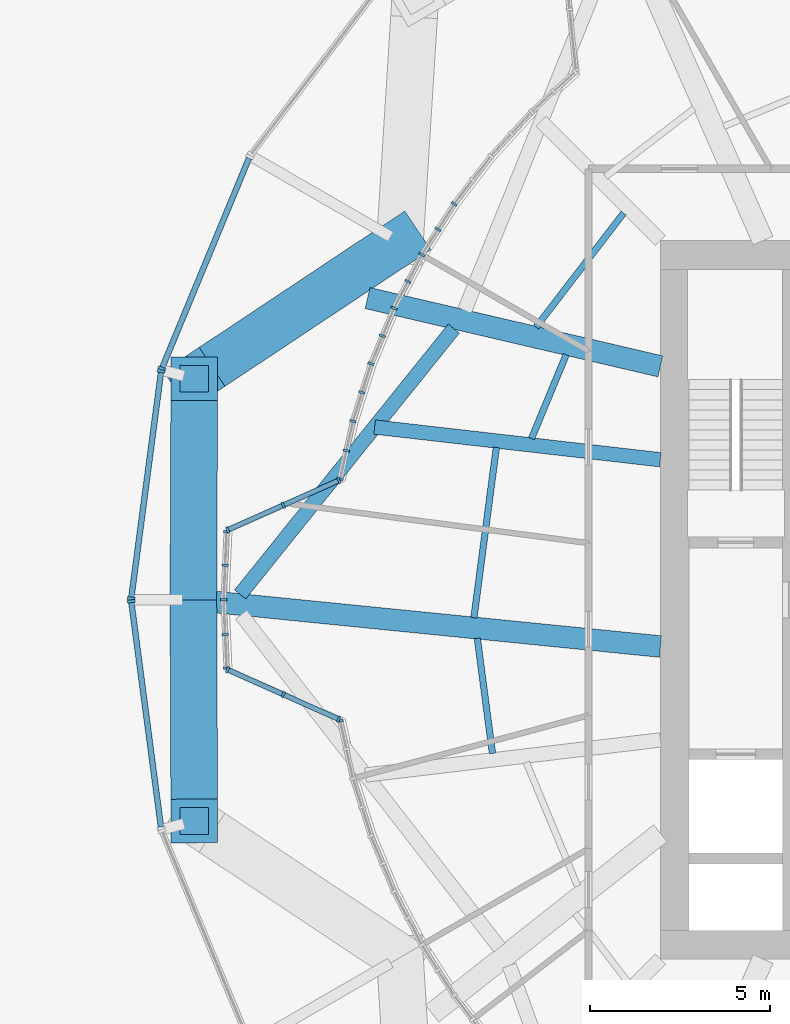
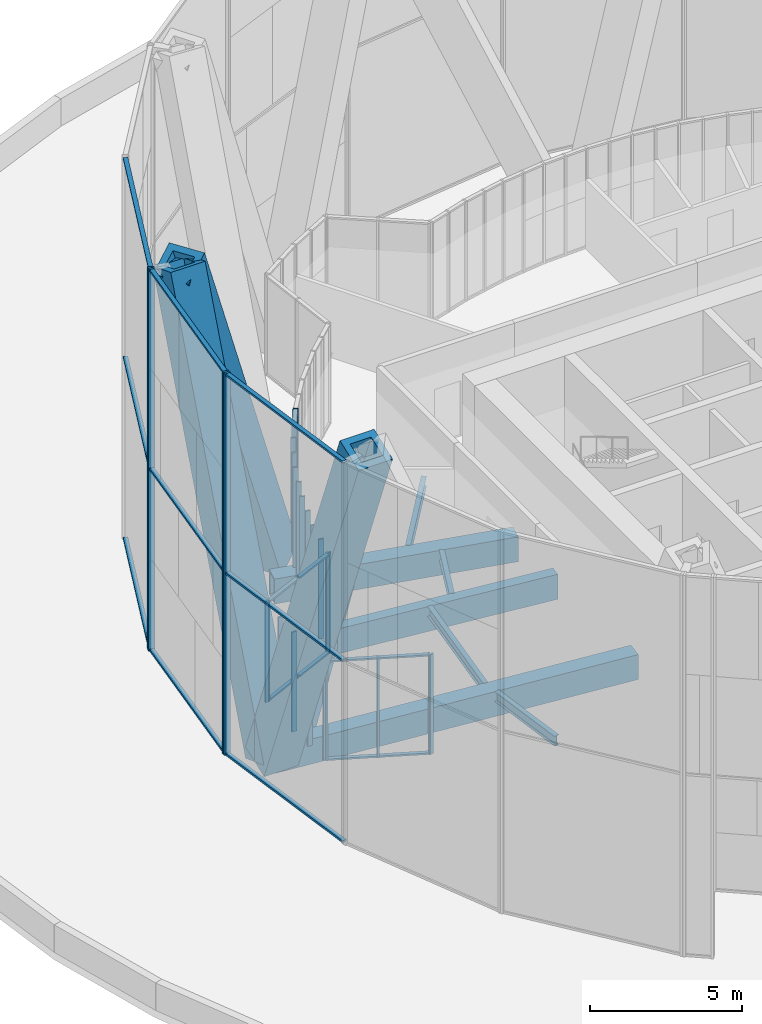
# One storey, part 5 of 27: 47 members, 8 beams, 14 elements without a shape of their own.
"""IFC4 building model written with IfcOpenShell, lengths in metres."""

from ifc_helpers import new_model, si_unit, direction, frame, origin, origin_2d, place, context, subcontext, project, spatial, rectangle, hollow_rectangle, i_section, extrude, material, material_profile, profile_set, type_object, element, aggregate, save


model = new_model("IFC4")

# Units and contexts
model_context = context("Model", 3, precision=1e-05, world=origin(), true_north=direction((0.0, 1.0)))
body_context = subcontext(model_context, "Body", "Model", "MODEL_VIEW")
ifc_project = project(units=[si_unit("LENGTHUNIT", "METRE"), si_unit("AREAUNIT", "SQUARE_METRE"), si_unit("VOLUMEUNIT", "CUBIC_METRE"), si_unit("PLANEANGLEUNIT", "RADIAN"), si_unit("MASSUNIT", "GRAM", prefix="KILO")], contexts=[model_context])

# Site, building, storey
site_placement = place(None, origin())
site = spatial("IfcSite", under=ifc_project, at=site_placement, CompositionType="ELEMENT")
building_placement = place(site_placement, origin())
building = spatial("IfcBuilding", under=site, at=building_placement, Name="Golbaran Civic Tower", CompositionType="ELEMENT")
storey_placement = place(building_placement, frame((0.0, 0.0, 21.0)))
storey = spatial("IfcBuildingStorey", under=building, at=storey_placement, Name="L04", CompositionType="ELEMENT", Elevation=21.0)

# Members
ifc_material_1 = material(Name="Steel S355", Category="steel")
ifc_material_profile_1 = material_profile(ifc_material_1, hollow_rectangle(XDim=1.300048828125, YDim=1.300048828125, WallThickness=0.25, at=origin_2d()), Name="BOX 1300x1300x250")
ifc_profile_set_1 = profile_set([ifc_material_profile_1], Name="Steel S355")
member_type_1 = type_object("IfcMemberType", Name="DIAGRID DIAGONAL BOX 1300x1300x250", PredefinedType="BRACE", material=ifc_profile_set_1)
member_1_placement = place(storey_placement, frame((-17.25, 9.959228515625, -0.7099609375), z_axis=(-0.328742402608, -0.218404518417, 0.918818752019), x_axis=(0.55337148994, -0.832934567731, 0.0)))
element("IfcMember", 1, at=member_1_placement, inside=storey, type_object=member_type_1, Name="Diagonal D00-05R L04-L08", PredefinedType="BRACE", context=body_context, shape_type="SweptSolid", body=[
    extrude(hollow_rectangle(XDim=1.300048828125, YDim=1.300048828125, WallThickness=0.25, at=origin_2d()), origin(), (0.0, 0.0, 1.0), 17.41357421875),
])
for number, where, z_axis, x_axis, name in (
    (2, (-23.0, 0.0, -0.7099609375), (0.00148107065, -0.359088427386, 0.933302366732), (0.999991494239, 0.004124493968, 0.0), "Diagonal D00-06R L04-L08"),
    (3, (-23.0, 0.0, -0.7099609375), (0.00148107065, 0.359088427386, 0.933302366732), (-0.999991494239, 0.004124493968, 0.0), "Diagonal D00-06L L04-L08"),
):
    element("IfcMember", number, at=place(storey_placement, frame(where, z_axis=z_axis, x_axis=x_axis)), inside=storey, type_object=member_type_1, Name=name, PredefinedType="BRACE", context=body_context, shape_type="SweptSolid", body=[
        extrude(hollow_rectangle(XDim=1.300048828125, YDim=1.300048828125, WallThickness=0.25, at=origin_2d()), origin(), (0.0, 0.0, 1.0), 17.143310546875),
    ])

# Beams
ifc_material_profile_2 = material_profile(ifc_material_1, hollow_rectangle(XDim=0.39990234375, YDim=0.800048828125, WallThickness=0.0400390625, at=origin_2d()), Name="BOX 800x400x40")
ifc_profile_set_2 = profile_set([ifc_material_profile_2], Name="Steel S355")
beam_type_1 = type_object("IfcBeamType", Name="EDGE BEAM BOX 800x400x40", PredefinedType="BEAM", material=ifc_profile_set_2)
beam_1_placement = place(storey_placement, frame((-15.748779296875, 7.552978515625, -0.60009765625), z_axis=(-0.626474233985, -0.779442130086, 0.0), x_axis=(0.779442130086, -0.626474233985, 0.0)))
element("IfcBeam", 4, at=beam_1_placement, inside=storey, type_object=beam_type_1, Name="Edge beam 150.00 L04", PredefinedType="BEAM", context=body_context, shape_type="SweptSolid", body=[
    extrude(hollow_rectangle(XDim=0.39990234375, YDim=0.800048828125, WallThickness=0.0400390625, at=origin_2d()), origin(), (0.0, 0.0, 1.0), 9.496337890625),
])
ifc_material_profile_3 = material_profile(ifc_material_1, i_section(OverallWidth=0.179931640625, OverallDepth=0.39990234375, WebThickness=0.008544921875, FlangeThickness=0.013427734375, FilletRadius=0.02099609375, at=origin_2d()), Name="IPE 400")
ifc_profile_set_3 = profile_set([ifc_material_profile_3], Name="Steel S355")
beam_type_2 = type_object("IfcBeamType", Name="FLOOR INFILL BEAM IPE 400", PredefinedType="BEAM", material=ifc_profile_set_3)
beam_2_placement = place(storey_placement, frame((-11.0224609375, 10.767822265625, -0.39990234375), z_axis=(-0.608760731105, -0.793353875811, 0.0), x_axis=(0.793353875811, -0.608760731105, 0.0)))
element("IfcBeam", 5, at=beam_2_placement, inside=storey, type_object=beam_type_2, Name="Infill beam 142.50 L04", PredefinedType="BEAM", context=body_context, shape_type="SweptSolid", body=[
    extrude(i_section(OverallWidth=0.179931640625, OverallDepth=0.39990234375, WebThickness=0.008544921875, FlangeThickness=0.013427734375, FilletRadius=0.02099609375, at=origin_2d()), origin(), (0.0, 0.0, 1.0), 4.000732421875),
])
beam_3_placement = place(storey_placement, frame((-12.62060546875, 6.823486328125, -0.39990234375), z_axis=(-0.382670739155, -0.923884790109, 0.0), x_axis=(0.923884790109, -0.382670739155, 0.0)))
element("IfcBeam", 6, at=beam_3_placement, inside=storey, type_object=beam_type_2, Name="Infill beam 157.50 L04", PredefinedType="BEAM", context=body_context, shape_type="SweptSolid", body=[
    extrude(i_section(OverallWidth=0.179931640625, OverallDepth=0.39990234375, WebThickness=0.008544921875, FlangeThickness=0.013427734375, FilletRadius=0.02099609375, at=origin_2d()), origin(), (0.0, 0.0, 1.0), 2.52392578125),
])
beam_4_placement = place(storey_placement, frame((-14.565185546875, 4.241455078125, -0.39990234375), z_axis=(-0.13049149029, -0.991449429352, 0.0), x_axis=(0.991449429352, -0.13049149029, 0.0)))
element("IfcBeam", 7, at=beam_4_placement, inside=storey, type_object=beam_type_2, Name="Infill beam 172.50 L04", PredefinedType="BEAM", context=body_context, shape_type="SweptSolid", body=[
    extrude(i_section(OverallWidth=0.179931640625, OverallDepth=0.39990234375, WebThickness=0.008544921875, FlangeThickness=0.013427734375, FilletRadius=0.02099609375, at=origin_2d()), origin(), (0.0, 0.0, 1.0), 4.781982421875),
])
beam_5_placement = place(storey_placement, frame((-15.094970703125, -1.07177734375, -0.39990234375), z_axis=(0.130540495755, -0.991442978173, 0.0), x_axis=(0.991442978173, 0.130540495755, 0.0)))
element("IfcBeam", 8, at=beam_5_placement, inside=storey, type_object=beam_type_2, Name="Infill beam 187.50 L04", PredefinedType="BEAM", context=body_context, shape_type="SweptSolid", body=[
    extrude(i_section(OverallWidth=0.179931640625, OverallDepth=0.39990234375, WebThickness=0.008544921875, FlangeThickness=0.013427734375, FilletRadius=0.02099609375, at=origin_2d()), origin(), (0.0, 0.0, 1.0), 3.231689453125),
])

# Curtain wall, member
ifc_material_2 = material(Name="Aluminium and glass", Category="aluminium")
curtain_wall_type_1 = type_object("IfcCurtainWallType", Name="INNER SKIN CURTAIN WALL", PredefinedType="NOTDEFINED", material=ifc_material_2)
curtain_wall_1_placement = place(storey_placement, origin())
curtain_wall_1 = element("IfcCurtainWall", 9, at=curtain_wall_1_placement, inside=storey, type_object=curtain_wall_type_1, Name="Inner skin L04 facet 29 CW1", ObjectType="INNER SKIN", PredefinedType="USERDEFINED")
ifc_material_3 = material(Name="Aluminium", Category="aluminium")
ifc_material_profile_4 = material_profile(ifc_material_3, rectangle(XDim=0.179931640625, YDim=0.06494140625, at=origin_2d()), Name="INNER SKIN CURTAIN WALL MULLION")
ifc_profile_set_4 = profile_set([ifc_material_profile_4], Name="Aluminium")
member_type_2 = type_object("IfcMemberType", Name="INNER SKIN CURTAIN WALL MULLION", PredefinedType="MULLION", material=ifc_profile_set_4)
member_2_placement = place(storey_placement, frame((-15.739990234375, 11.021240234375, 0.0), z_axis=(0.0, 0.0, 1.0), x_axis=(0.819152044349, -0.573576436265, 0.0)))
member_2 = element("IfcMember", 10, at=member_2_placement, type_object=member_type_2, Name="CW1 mullion 3", PredefinedType="MULLION", context=body_context, shape_type="SweptSolid", body=[
    extrude(rectangle(XDim=0.179931640625, YDim=0.06494140625, at=origin_2d()), origin(), (0.0, 0.0, 1.0), 4.0),
])
aggregate(curtain_wall_1, [member_2])

# Curtain wall, members
curtain_wall_2_placement = place(storey_placement, origin())
curtain_wall_2 = element("IfcCurtainWall", 11, at=curtain_wall_2_placement, inside=storey, type_object=curtain_wall_type_1, Name="Inner skin L04 facet 30 CW1", ObjectType="INNER SKIN", PredefinedType="USERDEFINED")
member_3_placement = place(storey_placement, frame((-16.1904296875, 10.314453125, 0.0), z_axis=(0.0, 0.0, 1.0), x_axis=(0.843391445653, -0.537299608597, 0.0)))
member_3 = element("IfcMember", 12, at=member_3_placement, type_object=member_type_2, Name="CW1 mullion 2", PredefinedType="MULLION", context=body_context, shape_type="SweptSolid", body=[
    extrude(rectangle(XDim=0.179931640625, YDim=0.06494140625, at=origin_2d()), origin(), (0.0, 0.0, 1.0), 4.0),
])
member_4_placement = place(storey_placement, frame((-16.640625, 9.607421875, 0.0), z_axis=(0.0, 0.0, 1.0), x_axis=(0.86602540375, -0.50000000006, 0.0)))
member_4 = element("IfcMember", 13, at=member_4_placement, type_object=member_type_2, Name="CW1 mullion 3", PredefinedType="MULLION", context=body_context, shape_type="SweptSolid", body=[
    extrude(rectangle(XDim=0.179931640625, YDim=0.06494140625, at=origin_2d()), origin(), (0.0, 0.0, 1.0), 4.0),
])
aggregate(curtain_wall_2, [member_3, member_4])

curtain_wall_3_placement = place(storey_placement, origin())
curtain_wall_3 = element("IfcCurtainWall", 14, at=curtain_wall_3_placement, inside=storey, type_object=curtain_wall_type_1, Name="Inner skin L04 facet 31 CW1", ObjectType="INNER SKIN", PredefinedType="USERDEFINED")
member_5_placement = place(storey_placement, frame((-17.027587890625, 8.864013671875, 0.0), z_axis=(0.0, 0.0, 1.0), x_axis=(0.887010833267, -0.461748613065, 0.0)))
member_5 = element("IfcMember", 15, at=member_5_placement, type_object=member_type_2, Name="CW1 mullion 2", PredefinedType="MULLION", context=body_context, shape_type="SweptSolid", body=[
    extrude(rectangle(XDim=0.179931640625, YDim=0.06494140625, at=origin_2d()), origin(), (0.0, 0.0, 1.0), 4.0),
])
member_6_placement = place(storey_placement, frame((-17.414794921875, 8.12060546875, 0.0), z_axis=(0.0, 0.0, 1.0), x_axis=(0.906307787074, -0.422618261662, 0.0)))
member_6 = element("IfcMember", 16, at=member_6_placement, type_object=member_type_2, Name="CW1 mullion 3", PredefinedType="MULLION", context=body_context, shape_type="SweptSolid", body=[
    extrude(rectangle(XDim=0.179931640625, YDim=0.06494140625, at=origin_2d()), origin(), (0.0, 0.0, 1.0), 4.0),
])
aggregate(curtain_wall_3, [member_5, member_6])

curtain_wall_4_placement = place(storey_placement, origin())
curtain_wall_4 = element("IfcCurtainWall", 17, at=curtain_wall_4_placement, inside=storey, type_object=curtain_wall_type_1, Name="Inner skin L04 facet 32 CW1", ObjectType="INNER SKIN", PredefinedType="USERDEFINED")
member_7_placement = place(storey_placement, frame((-17.7353515625, 7.34619140625, 0.0), z_axis=(0.0, 0.0, 1.0), x_axis=(0.923879532585, -0.382683432188, 0.0)))
member_7 = element("IfcMember", 18, at=member_7_placement, type_object=member_type_2, Name="CW1 mullion 2", PredefinedType="MULLION", context=body_context, shape_type="SweptSolid", body=[
    extrude(rectangle(XDim=0.179931640625, YDim=0.06494140625, at=origin_2d()), origin(), (0.0, 0.0, 1.0), 4.0),
])
member_8_placement = place(storey_placement, frame((-18.05615234375, 6.572021484375, 0.0), z_axis=(0.0, 0.0, 1.0), x_axis=(0.93969262078, -0.342020143342, 0.0)))
member_8 = element("IfcMember", 19, at=member_8_placement, type_object=member_type_2, Name="CW1 mullion 3", PredefinedType="MULLION", context=body_context, shape_type="SweptSolid", body=[
    extrude(rectangle(XDim=0.179931640625, YDim=0.06494140625, at=origin_2d()), origin(), (0.0, 0.0, 1.0), 4.0),
])
aggregate(curtain_wall_4, [member_7, member_8])

curtain_wall_5_placement = place(storey_placement, origin())
curtain_wall_5 = element("IfcCurtainWall", 20, at=curtain_wall_5_placement, inside=storey, type_object=curtain_wall_type_1, Name="Inner skin L04 facet 33 CW1", ObjectType="INNER SKIN", PredefinedType="USERDEFINED")
member_9_placement = place(storey_placement, frame((-18.308349609375, 5.7724609375, 0.0), z_axis=(0.0, 0.0, 1.0), x_axis=(0.953716950685, -0.300705799704, 0.0)))
member_9 = element("IfcMember", 21, at=member_9_placement, type_object=member_type_2, Name="CW1 mullion 2", PredefinedType="MULLION", context=body_context, shape_type="SweptSolid", body=[
    extrude(rectangle(XDim=0.179931640625, YDim=0.06494140625, at=origin_2d()), origin(), (0.0, 0.0, 1.0), 4.0),
])
member_10_placement = place(storey_placement, frame((-18.560302734375, 4.97314453125, 0.0), z_axis=(0.0, 0.0, 1.0), x_axis=(0.965925826257, -0.258819045221, 0.0)))
member_10 = element("IfcMember", 22, at=member_10_placement, type_object=member_type_2, Name="CW1 mullion 3", PredefinedType="MULLION", context=body_context, shape_type="SweptSolid", body=[
    extrude(rectangle(XDim=0.179931640625, YDim=0.06494140625, at=origin_2d()), origin(), (0.0, 0.0, 1.0), 4.0),
])
aggregate(curtain_wall_5, [member_9, member_10])

curtain_wall_6_placement = place(storey_placement, origin())
curtain_wall_6 = element("IfcCurtainWall", 23, at=curtain_wall_6_placement, inside=storey, type_object=curtain_wall_type_1, Name="Inner skin L04 facet 34 CW1", ObjectType="INNER SKIN", PredefinedType="USERDEFINED")
member_11_placement = place(storey_placement, frame((-18.74169921875, 4.155029296875, 0.0), z_axis=(0.0, 0.0, 1.0), x_axis=(0.976296007124, -0.216439613921, 0.0)))
member_11 = element("IfcMember", 24, at=member_11_placement, type_object=member_type_2, Name="CW1 mullion 2", PredefinedType="MULLION", context=body_context, shape_type="SweptSolid", body=[
    extrude(rectangle(XDim=0.179931640625, YDim=0.06494140625, at=origin_2d()), origin(), (0.0, 0.0, 1.0), 4.0),
])
member_12_placement = place(storey_placement, frame((-18.916015625, 3.368408203125, 0.0), z_axis=(0.0, 0.0, 1.0), x_axis=(0.976296007124, -0.216439613921, 0.0)))
member_12 = element("IfcMember", 25, at=member_12_placement, type_object=member_type_2, Name="CW1 mullion 3", PredefinedType="MULLION", context=body_context, shape_type="SweptSolid", body=[
    extrude(rectangle(XDim=0.179931640625, YDim=0.06494140625, at=origin_2d()), origin(), (0.0, 0.0, 1.0), 4.0),
])
aggregate(curtain_wall_6, [member_11, member_12])

curtain_wall_7_placement = place(storey_placement, origin())
curtain_wall_7 = element("IfcCurtainWall", 26, at=curtain_wall_7_placement, inside=storey, type_object=curtain_wall_type_1, Name="Inner skin L04 facet 35 CW1", ObjectType="INNER SKIN", PredefinedType="USERDEFINED")
member_13_placement = place(storey_placement, frame((-18.952880859375, 3.323486328125, 0.0), z_axis=(0.0, 0.0, 1.0), x_axis=(0.407136379182, -0.91336737885, 0.0)))
member_13 = element("IfcMember", 27, at=member_13_placement, type_object=member_type_2, Name="CW1 mullion 1", PredefinedType="MULLION", context=body_context, shape_type="SweptSolid", body=[
    extrude(rectangle(XDim=0.179931640625, YDim=0.06494140625, at=origin_2d()), origin(), (0.0, 0.0, 1.0), 4.0),
])
member_14_placement = place(storey_placement, frame((-20.499267578125, 2.634033203125, 0.0), z_axis=(0.0, 0.0, 1.0), x_axis=(0.407136379182, -0.91336737885, 0.0)))
member_14 = element("IfcMember", 28, at=member_14_placement, type_object=member_type_2, Name="CW1 mullion 2", PredefinedType="MULLION", context=body_context, shape_type="SweptSolid", body=[
    extrude(rectangle(XDim=0.179931640625, YDim=0.06494140625, at=origin_2d()), origin(), (0.0, 0.0, 1.0), 4.0),
])
member_15_placement = place(storey_placement, frame((-22.0458984375, 1.944580078125, 0.0), z_axis=(0.0, 0.0, 1.0), x_axis=(0.407136379182, -0.91336737885, 0.0)))
member_15 = element("IfcMember", 29, at=member_15_placement, type_object=member_type_2, Name="CW1 mullion 3", PredefinedType="MULLION", context=body_context, shape_type="SweptSolid", body=[
    extrude(rectangle(XDim=0.179931640625, YDim=0.06494140625, at=origin_2d()), origin(), (0.0, 0.0, 1.0), 4.0),
])

curtain_wall_8_placement = place(storey_placement, origin())
curtain_wall_8 = element("IfcCurtainWall", 30, at=curtain_wall_8_placement, inside=storey, type_object=curtain_wall_type_1, Name="Inner skin L04 facet 36 CW1", ObjectType="INNER SKIN", PredefinedType="USERDEFINED")
member_16_placement = place(storey_placement, frame((-22.0771484375, 1.89892578125, 0.0), z_axis=(0.0, 0.0, 1.0), x_axis=(0.999048221588, -0.043619387226, 0.0)))
member_16 = element("IfcMember", 31, at=member_16_placement, type_object=member_type_2, Name="CW1 mullion 1", PredefinedType="MULLION", context=body_context, shape_type="SweptSolid", body=[
    extrude(rectangle(XDim=0.179931640625, YDim=0.06494140625, at=origin_2d()), origin(), (0.0, 0.0, 1.0), 4.0),
])
member_17_placement = place(storey_placement, frame((-22.117919921875, 0.965576171875, 0.0), z_axis=(0.0, 0.0, 1.0), x_axis=(0.999048221588, -0.043619387226, 0.0)))
member_17 = element("IfcMember", 32, at=member_17_placement, type_object=member_type_2, Name="CW1 mullion 2", PredefinedType="MULLION", context=body_context, shape_type="SweptSolid", body=[
    extrude(rectangle(XDim=0.179931640625, YDim=0.06494140625, at=origin_2d()), origin(), (0.0, 0.0, 1.0), 4.0),
])
member_18_placement = place(storey_placement, frame((-22.159912109375, 0.0, 0.0), z_axis=(0.0, 0.0, 1.0), x_axis=(1.0, 7e-11, 0.0)))
member_18 = element("IfcMember", 33, at=member_18_placement, type_object=member_type_2, Name="CW1 mullion 3", PredefinedType="MULLION", context=body_context, shape_type="SweptSolid", body=[
    extrude(rectangle(XDim=0.179931640625, YDim=0.06494140625, at=origin_2d()), origin(), (0.0, 0.0, 1.0), 4.0),
])
aggregate(curtain_wall_8, [member_16, member_17, member_18])

curtain_wall_9_placement = place(storey_placement, origin())
curtain_wall_9 = element("IfcCurtainWall", 34, at=curtain_wall_9_placement, inside=storey, type_object=curtain_wall_type_1, Name="Inner skin L04 facet 37 CW1", ObjectType="INNER SKIN", PredefinedType="USERDEFINED")
member_19_placement = place(storey_placement, frame((-22.117919921875, -0.965576171875, 0.0), z_axis=(0.0, 0.0, 1.0), x_axis=(0.999048221588, 0.043619387226, 0.0)))
member_19 = element("IfcMember", 35, at=member_19_placement, type_object=member_type_2, Name="CW1 mullion 2", PredefinedType="MULLION", context=body_context, shape_type="SweptSolid", body=[
    extrude(rectangle(XDim=0.179931640625, YDim=0.06494140625, at=origin_2d()), origin(), (0.0, 0.0, 1.0), 4.0),
])
member_20_placement = place(storey_placement, frame((-22.0771484375, -1.89892578125, 0.0), z_axis=(0.0, 0.0, 1.0), x_axis=(0.999048221588, 0.043619387226, 0.0)))
member_20 = element("IfcMember", 36, at=member_20_placement, type_object=member_type_2, Name="CW1 mullion 3", PredefinedType="MULLION", context=body_context, shape_type="SweptSolid", body=[
    extrude(rectangle(XDim=0.179931640625, YDim=0.06494140625, at=origin_2d()), origin(), (0.0, 0.0, 1.0), 4.0),
])
aggregate(curtain_wall_9, [member_19, member_20])

curtain_wall_10_placement = place(storey_placement, origin())
curtain_wall_10 = element("IfcCurtainWall", 37, at=curtain_wall_10_placement, inside=storey, type_object=curtain_wall_type_1, Name="Inner skin L04 facet 38 CW1", ObjectType="INNER SKIN", PredefinedType="USERDEFINED")
member_21_placement = place(storey_placement, frame((-22.0458984375, -1.944580078125, 0.0), z_axis=(0.0, 0.0, 1.0), x_axis=(0.407136379182, 0.91336737885, 0.0)))
member_21 = element("IfcMember", 38, at=member_21_placement, type_object=member_type_2, Name="CW1 mullion 1", PredefinedType="MULLION", context=body_context, shape_type="SweptSolid", body=[
    extrude(rectangle(XDim=0.179931640625, YDim=0.06494140625, at=origin_2d()), origin(), (0.0, 0.0, 1.0), 4.0),
])
member_22_placement = place(storey_placement, frame((-20.499267578125, -2.634033203125, 0.0), z_axis=(0.0, 0.0, 1.0), x_axis=(0.407136379182, 0.91336737885, 0.0)))
member_22 = element("IfcMember", 39, at=member_22_placement, type_object=member_type_2, Name="CW1 mullion 2", PredefinedType="MULLION", context=body_context, shape_type="SweptSolid", body=[
    extrude(rectangle(XDim=0.179931640625, YDim=0.06494140625, at=origin_2d()), origin(), (0.0, 0.0, 1.0), 4.0),
])
member_23_placement = place(storey_placement, frame((-18.952880859375, -3.323486328125, 0.0), z_axis=(0.0, 0.0, 1.0), x_axis=(0.407136379182, 0.91336737885, 0.0)))
member_23 = element("IfcMember", 40, at=member_23_placement, type_object=member_type_2, Name="CW1 mullion 3", PredefinedType="MULLION", context=body_context, shape_type="SweptSolid", body=[
    extrude(rectangle(XDim=0.179931640625, YDim=0.06494140625, at=origin_2d()), origin(), (0.0, 0.0, 1.0), 4.0),
])

# Curtain wall, member
curtain_wall_11_placement = place(storey_placement, origin())
curtain_wall_11 = element("IfcCurtainWall", 41, at=curtain_wall_11_placement, inside=storey, type_object=curtain_wall_type_1, Name="Inner skin L04 facet 39 CW1", ObjectType="INNER SKIN", PredefinedType="USERDEFINED")
member_24_placement = place(storey_placement, frame((-18.916015625, -3.368408203125, 0.0), z_axis=(0.0, 0.0, 1.0), x_axis=(0.976296007124, 0.216439613921, 0.0)))
member_24 = element("IfcMember", 42, at=member_24_placement, type_object=member_type_2, Name="CW1 mullion 1", PredefinedType="MULLION", context=body_context, shape_type="SweptSolid", body=[
    extrude(rectangle(XDim=0.179931640625, YDim=0.06494140625, at=origin_2d()), origin(), (0.0, 0.0, 1.0), 4.0),
])
aggregate(curtain_wall_11, [member_24])

# Member
ifc_material_profile_5 = material_profile(ifc_material_3, rectangle(XDim=0.139892578125, YDim=0.06494140625, at=origin_2d()), Name="INNER SKIN CURTAIN WALL TRANSOM")
ifc_profile_set_5 = profile_set([ifc_material_profile_5], Name="Aluminium")
member_type_3 = type_object("IfcMemberType", Name="INNER SKIN CURTAIN WALL TRANSOM", PredefinedType="USERDEFINED", material=ifc_profile_set_5)
member_25_placement = place(storey_placement, frame((-18.982421875, 3.310302734375, 0.032470703125), z_axis=(-0.913341070078, -0.407195394999, 0.0), x_axis=(0.407195394999, -0.913341070078, 0.0)))
member_25 = element("IfcMember", 43, at=member_25_placement, type_object=member_type_3, Name="CW1 transom 1.1", ObjectType="TRANSOM", PredefinedType="USERDEFINED", context=body_context, shape_type="SweptSolid", body=[
    extrude(rectangle(XDim=0.139892578125, YDim=0.06494140625, at=origin_2d()), origin(), (0.0, 0.0, 1.0), 1.62841796875),
])

member_26_placement = place(storey_placement, frame((-18.982421875, 3.310302734375, 3.967529296875), z_axis=(-0.913341070078, -0.407195394999, 0.0), x_axis=(0.407195394999, -0.913341070078, 0.0)))
member_26 = element("IfcMember", 44, at=member_26_placement, type_object=member_type_3, Name="CW1 transom 1.2", ObjectType="TRANSOM", PredefinedType="USERDEFINED", context=body_context, shape_type="SweptSolid", body=[
    extrude(rectangle(XDim=0.139892578125, YDim=0.06494140625, at=origin_2d()), origin(), (0.0, 0.0, 1.0), 1.62841796875),
])

member_27_placement = place(storey_placement, frame((-20.529052734375, 2.620849609375, 0.032470703125), z_axis=(-0.913341070078, -0.407195394999, 0.0), x_axis=(0.407195394999, -0.913341070078, 0.0)))
member_27 = element("IfcMember", 45, at=member_27_placement, type_object=member_type_3, Name="CW1 transom 2.1", ObjectType="TRANSOM", PredefinedType="USERDEFINED", context=body_context, shape_type="SweptSolid", body=[
    extrude(rectangle(XDim=0.139892578125, YDim=0.06494140625, at=origin_2d()), origin(), (0.0, 0.0, 1.0), 1.62841796875),
])

member_28_placement = place(storey_placement, frame((-20.529052734375, 2.620849609375, 3.967529296875), z_axis=(-0.913341070078, -0.407195394999, 0.0), x_axis=(0.407195394999, -0.913341070078, 0.0)))
member_28 = element("IfcMember", 46, at=member_28_placement, type_object=member_type_3, Name="CW1 transom 2.2", ObjectType="TRANSOM", PredefinedType="USERDEFINED", context=body_context, shape_type="SweptSolid", body=[
    extrude(rectangle(XDim=0.139892578125, YDim=0.06494140625, at=origin_2d()), origin(), (0.0, 0.0, 1.0), 1.62841796875),
])

aggregate(curtain_wall_7, [member_13, member_14, member_15, member_25, member_26, member_27, member_28])

member_29_placement = place(storey_placement, frame((-22.016357421875, -1.957763671875, 0.032470703125), z_axis=(0.913341070078, -0.407195394999, 0.0), x_axis=(0.407195394999, 0.913341070078, 0.0)))
member_29 = element("IfcMember", 47, at=member_29_placement, type_object=member_type_3, Name="CW1 transom 1.1", ObjectType="TRANSOM", PredefinedType="USERDEFINED", context=body_context, shape_type="SweptSolid", body=[
    extrude(rectangle(XDim=0.139892578125, YDim=0.06494140625, at=origin_2d()), origin(), (0.0, 0.0, 1.0), 1.62841796875),
])

member_30_placement = place(storey_placement, frame((-22.016357421875, -1.957763671875, 3.967529296875), z_axis=(0.913341070078, -0.407195394999, 0.0), x_axis=(0.407195394999, 0.913341070078, 0.0)))
member_30 = element("IfcMember", 48, at=member_30_placement, type_object=member_type_3, Name="CW1 transom 1.2", ObjectType="TRANSOM", PredefinedType="USERDEFINED", context=body_context, shape_type="SweptSolid", body=[
    extrude(rectangle(XDim=0.139892578125, YDim=0.06494140625, at=origin_2d()), origin(), (0.0, 0.0, 1.0), 1.62841796875),
])

member_31_placement = place(storey_placement, frame((-20.4697265625, -2.647216796875, 0.032470703125), z_axis=(0.913341070078, -0.407195394999, 0.0), x_axis=(0.407195394999, 0.913341070078, 0.0)))
member_31 = element("IfcMember", 49, at=member_31_placement, type_object=member_type_3, Name="CW1 transom 2.1", ObjectType="TRANSOM", PredefinedType="USERDEFINED", context=body_context, shape_type="SweptSolid", body=[
    extrude(rectangle(XDim=0.139892578125, YDim=0.06494140625, at=origin_2d()), origin(), (0.0, 0.0, 1.0), 1.62841796875),
])

member_32_placement = place(storey_placement, frame((-20.4697265625, -2.647216796875, 3.967529296875), z_axis=(0.913341070078, -0.407195394999, 0.0), x_axis=(0.407195394999, 0.913341070078, 0.0)))
member_32 = element("IfcMember", 50, at=member_32_placement, type_object=member_type_3, Name="CW1 transom 2.2", ObjectType="TRANSOM", PredefinedType="USERDEFINED", context=body_context, shape_type="SweptSolid", body=[
    extrude(rectangle(XDim=0.139892578125, YDim=0.06494140625, at=origin_2d()), origin(), (0.0, 0.0, 1.0), 1.62841796875),
])

aggregate(curtain_wall_10, [member_21, member_22, member_23, member_29, member_30, member_31, member_32])

# Curtain wall, member
curtain_wall_type_2 = type_object("IfcCurtainWallType", Name="OUTER SKIN TERRACOTTA SCREEN", PredefinedType="NOTDEFINED", material=ifc_material_2)
curtain_wall_12_placement = place(storey_placement, origin())
curtain_wall_12 = element("IfcCurtainWall", 51, at=curtain_wall_12_placement, inside=storey, type_object=curtain_wall_type_2, Name="Outer skin L04 facet 11 CW3", ObjectType="OUTER SKIN", PredefinedType="USERDEFINED")
ifc_material_profile_6 = material_profile(ifc_material_3, rectangle(XDim=0.219970703125, YDim=0.080078125, at=origin_2d()), Name="OUTER SKIN TERRACOTTA SCREEN MULLION")
ifc_profile_set_6 = profile_set([ifc_material_profile_6], Name="Aluminium")
member_type_4 = type_object("IfcMemberType", Name="OUTER SKIN TERRACOTTA SCREEN MULLION", PredefinedType="MULLION", material=ifc_profile_set_6)
member_33_placement = place(storey_placement, frame((-23.876953125, 6.43896484375, 0.0), z_axis=(0.0, 0.0, 1.0), x_axis=(0.923879532538, -0.382683432301, 0.0)))
member_33 = element("IfcMember", 52, at=member_33_placement, type_object=member_type_4, Name="CW3 mullion 2", PredefinedType="MULLION", context=body_context, shape_type="SweptSolid", body=[
    extrude(rectangle(XDim=0.219970703125, YDim=0.080078125, at=origin_2d()), origin(), (0.0, 0.0, 1.0), 15.2900390625),
])

# Curtain wall, members
curtain_wall_13_placement = place(storey_placement, origin())
curtain_wall_13 = element("IfcCurtainWall", 53, at=curtain_wall_13_placement, inside=storey, type_object=curtain_wall_type_2, Name="Outer skin L04 facet 12 CW3", ObjectType="OUTER SKIN", PredefinedType="USERDEFINED")
member_34_placement = place(storey_placement, frame((-23.8974609375, 6.3623046875, 0.0), z_axis=(0.0, 0.0, 1.0), x_axis=(0.991444861369, -0.130526192255, 0.0)))
member_34 = element("IfcMember", 54, at=member_34_placement, type_object=member_type_4, Name="CW3 mullion 1", PredefinedType="MULLION", context=body_context, shape_type="SweptSolid", body=[
    extrude(rectangle(XDim=0.219970703125, YDim=0.080078125, at=origin_2d()), origin(), (0.0, 0.0, 1.0), 15.2900390625),
])
member_35_placement = place(storey_placement, frame((-24.729736328125, 0.03955078125, 0.0), z_axis=(0.0, 0.0, 1.0), x_axis=(0.991444861369, -0.130526192255, 0.0)))
member_35 = element("IfcMember", 55, at=member_35_placement, type_object=member_type_4, Name="CW3 mullion 2", PredefinedType="MULLION", context=body_context, shape_type="SweptSolid", body=[
    extrude(rectangle(XDim=0.219970703125, YDim=0.080078125, at=origin_2d()), origin(), (0.0, 0.0, 1.0), 15.2900390625),
])

# Curtain wall, member
curtain_wall_14_placement = place(storey_placement, origin())
curtain_wall_14 = element("IfcCurtainWall", 56, at=curtain_wall_14_placement, inside=storey, type_object=curtain_wall_type_2, Name="Outer skin L04 facet 13 CW3", ObjectType="OUTER SKIN", PredefinedType="USERDEFINED")
member_36_placement = place(storey_placement, frame((-24.729736328125, -0.03955078125, 0.0), z_axis=(0.0, 0.0, 1.0), x_axis=(0.991444861369, 0.130526192255, 0.0)))
member_36 = element("IfcMember", 57, at=member_36_placement, type_object=member_type_4, Name="CW3 mullion 1", PredefinedType="MULLION", context=body_context, shape_type="SweptSolid", body=[
    extrude(rectangle(XDim=0.219970703125, YDim=0.080078125, at=origin_2d()), origin(), (0.0, 0.0, 1.0), 15.2900390625),
])

# Member
ifc_material_profile_7 = material_profile(ifc_material_3, rectangle(XDim=0.159912109375, YDim=0.080078125, at=origin_2d()), Name="OUTER SKIN TERRACOTTA SCREEN TRANSOM")
ifc_profile_set_7 = profile_set([ifc_material_profile_7], Name="Aluminium")
member_type_5 = type_object("IfcMemberType", Name="OUTER SKIN TERRACOTTA SCREEN TRANSOM", PredefinedType="USERDEFINED", material=ifc_profile_set_7)
member_37_placement = place(storey_placement, frame((-21.45166015625, 12.293701171875, 0.0400390625), z_axis=(-0.38269305572, -0.923875546328, 0.0), x_axis=(0.923875546328, -0.38269305572, 0.0)))
member_37 = element("IfcMember", 58, at=member_37_placement, type_object=member_type_5, Name="CW3 transom 1.1", ObjectType="TRANSOM", PredefinedType="USERDEFINED", context=body_context, shape_type="SweptSolid", body=[
    extrude(rectangle(XDim=0.159912109375, YDim=0.080078125, at=origin_2d()), origin(), (0.0, 0.0, 1.0), 6.29736328125),
])

member_38_placement = place(storey_placement, frame((-21.45166015625, 12.293701171875, 7.2900390625), z_axis=(-0.38269305572, -0.923875546328, 0.0), x_axis=(0.923875546328, -0.38269305572, 0.0)))
member_38 = element("IfcMember", 59, at=member_38_placement, type_object=member_type_5, Name="CW3 transom 1.2", ObjectType="TRANSOM", PredefinedType="USERDEFINED", context=body_context, shape_type="SweptSolid", body=[
    extrude(rectangle(XDim=0.159912109375, YDim=0.080078125, at=origin_2d()), origin(), (0.0, 0.0, 1.0), 6.29736328125),
])

member_39_placement = place(storey_placement, frame((-21.45166015625, 12.293701171875, 15.25), z_axis=(-0.38269305572, -0.923875546328, 0.0), x_axis=(0.923875546328, -0.38269305572, 0.0)))
member_39 = element("IfcMember", 60, at=member_39_placement, type_object=member_type_5, Name="CW3 transom 1.3", ObjectType="TRANSOM", PredefinedType="USERDEFINED", context=body_context, shape_type="SweptSolid", body=[
    extrude(rectangle(XDim=0.159912109375, YDim=0.080078125, at=origin_2d()), origin(), (0.0, 0.0, 1.0), 6.29736328125),
])

aggregate(curtain_wall_12, [member_33, member_37, member_38, member_39])

member_40_placement = place(storey_placement, frame((-23.902587890625, 6.322509765625, 0.0400390625), z_axis=(-0.130540762908, -0.991442942997, 0.0), x_axis=(0.991442942997, -0.130540762908, 0.0)))
member_40 = element("IfcMember", 61, at=member_40_placement, type_object=member_type_5, Name="CW3 transom 1.1", ObjectType="TRANSOM", PredefinedType="USERDEFINED", context=body_context, shape_type="SweptSolid", body=[
    extrude(rectangle(XDim=0.159912109375, YDim=0.080078125, at=origin_2d()), origin(), (0.0, 0.0, 1.0), 6.297119140625),
])

member_41_placement = place(storey_placement, frame((-23.902587890625, 6.322509765625, 7.2900390625), z_axis=(-0.130540762908, -0.991442942997, 0.0), x_axis=(0.991442942997, -0.130540762908, 0.0)))
member_41 = element("IfcMember", 62, at=member_41_placement, type_object=member_type_5, Name="CW3 transom 1.2", ObjectType="TRANSOM", PredefinedType="USERDEFINED", context=body_context, shape_type="SweptSolid", body=[
    extrude(rectangle(XDim=0.159912109375, YDim=0.080078125, at=origin_2d()), origin(), (0.0, 0.0, 1.0), 6.297119140625),
])

member_42_placement = place(storey_placement, frame((-23.902587890625, 6.322509765625, 15.25), z_axis=(-0.130540762908, -0.991442942997, 0.0), x_axis=(0.991442942997, -0.130540762908, 0.0)))
member_42 = element("IfcMember", 63, at=member_42_placement, type_object=member_type_5, Name="CW3 transom 1.3", ObjectType="TRANSOM", PredefinedType="USERDEFINED", context=body_context, shape_type="SweptSolid", body=[
    extrude(rectangle(XDim=0.159912109375, YDim=0.080078125, at=origin_2d()), origin(), (0.0, 0.0, 1.0), 6.297119140625),
])

aggregate(curtain_wall_13, [member_34, member_35, member_40, member_41, member_42])

member_43_placement = place(storey_placement, frame((-24.724609375, -0.079345703125, 0.0400390625), z_axis=(0.130540762908, -0.991442942997, 0.0), x_axis=(0.991442942997, 0.130540762908, 0.0)))
member_43 = element("IfcMember", 64, at=member_43_placement, type_object=member_type_5, Name="CW3 transom 1.1", ObjectType="TRANSOM", PredefinedType="USERDEFINED", context=body_context, shape_type="SweptSolid", body=[
    extrude(rectangle(XDim=0.159912109375, YDim=0.080078125, at=origin_2d()), origin(), (0.0, 0.0, 1.0), 6.297119140625),
])

member_44_placement = place(storey_placement, frame((-24.724609375, -0.079345703125, 7.2900390625), z_axis=(0.130540762908, -0.991442942997, 0.0), x_axis=(0.991442942997, 0.130540762908, 0.0)))
member_44 = element("IfcMember", 65, at=member_44_placement, type_object=member_type_5, Name="CW3 transom 1.2", ObjectType="TRANSOM", PredefinedType="USERDEFINED", context=body_context, shape_type="SweptSolid", body=[
    extrude(rectangle(XDim=0.159912109375, YDim=0.080078125, at=origin_2d()), origin(), (0.0, 0.0, 1.0), 6.297119140625),
])

member_45_placement = place(storey_placement, frame((-24.724609375, -0.079345703125, 15.25), z_axis=(0.130540762908, -0.991442942997, 0.0), x_axis=(0.991442942997, 0.130540762908, 0.0)))
member_45 = element("IfcMember", 66, at=member_45_placement, type_object=member_type_5, Name="CW3 transom 1.3", ObjectType="TRANSOM", PredefinedType="USERDEFINED", context=body_context, shape_type="SweptSolid", body=[
    extrude(rectangle(XDim=0.159912109375, YDim=0.080078125, at=origin_2d()), origin(), (0.0, 0.0, 1.0), 6.297119140625),
])

aggregate(curtain_wall_14, [member_36, member_43, member_44, member_45])

# Beams
ifc_material_profile_8 = material_profile(ifc_material_1, hollow_rectangle(XDim=0.60009765625, YDim=1.0, WallThickness=0.06005859375, at=origin_2d()), Name="BOX 1000x600x60")
ifc_profile_set_8 = profile_set([ifc_material_profile_8], Name="Steel S355")
beam_type_3 = type_object("IfcBeamType", Name="RADIAL FLOOR BEAM BOX 1000x600x60", PredefinedType="BEAM", material=ifc_profile_set_8)
beam_6_placement = place(storey_placement, frame((-10.0, 6.5, -0.7099609375), z_axis=(-0.973874338669, 0.227087587688, 0.0), x_axis=(-0.227087587688, -0.973874338669, 0.0)))
element("IfcBeam", 67, at=beam_6_placement, inside=storey, type_object=beam_type_3, Name="Radial beam 150.00 L04", PredefinedType="BEAM", context=body_context, shape_type="SweptSolid", body=[
    extrude(hollow_rectangle(XDim=0.60009765625, YDim=1.0, WallThickness=0.06005859375, at=origin_2d()), origin(), (0.0, 0.0, 1.0), 8.36865234375),
])
beam_7_placement = place(storey_placement, frame((-10.0, -1.300048828125, -0.7099609375), z_axis=(-0.995036820167, 0.099507419385, 0.0), x_axis=(-0.099507419385, -0.995036820167, 0.0)))
element("IfcBeam", 68, at=beam_7_placement, inside=storey, type_object=beam_type_3, Name="Radial beam 180.00 L04", PredefinedType="BEAM", context=body_context, shape_type="SweptSolid", body=[
    extrude(hollow_rectangle(XDim=0.60009765625, YDim=1.0, WallThickness=0.06005859375, at=origin_2d()), origin(), (0.0, 0.0, 1.0), 13.06494140625),
])
ifc_material_profile_9 = material_profile(ifc_material_1, hollow_rectangle(XDim=0.39990234375, YDim=1.0, WallThickness=0.050048828125, at=origin_2d()), Name="BOX 1000x400x50")
ifc_profile_set_9 = profile_set([ifc_material_profile_9], Name="Steel S355")
beam_type_4 = type_object("IfcBeamType", Name="SECONDARY FLOOR BEAM BOX 1000x400x50", PredefinedType="BEAM", material=ifc_profile_set_9)
beam_8_placement = place(storey_placement, frame((-10.0, 3.89990234375, -0.7099609375), z_axis=(-0.993508467851, 0.113758183481, 0.0), x_axis=(-0.113758183481, -0.993508467851, 0.0)))
element("IfcBeam", 69, at=beam_8_placement, inside=storey, type_object=beam_type_4, Name="Secondary beam 165.00 L04", PredefinedType="BEAM", context=body_context, shape_type="SweptSolid", body=[
    extrude(hollow_rectangle(XDim=0.39990234375, YDim=1.0, WallThickness=0.050048828125, at=origin_2d()), origin(), (0.0, 0.0, 1.0), 8.005126953125),
])

save(model, "model.ifc")
